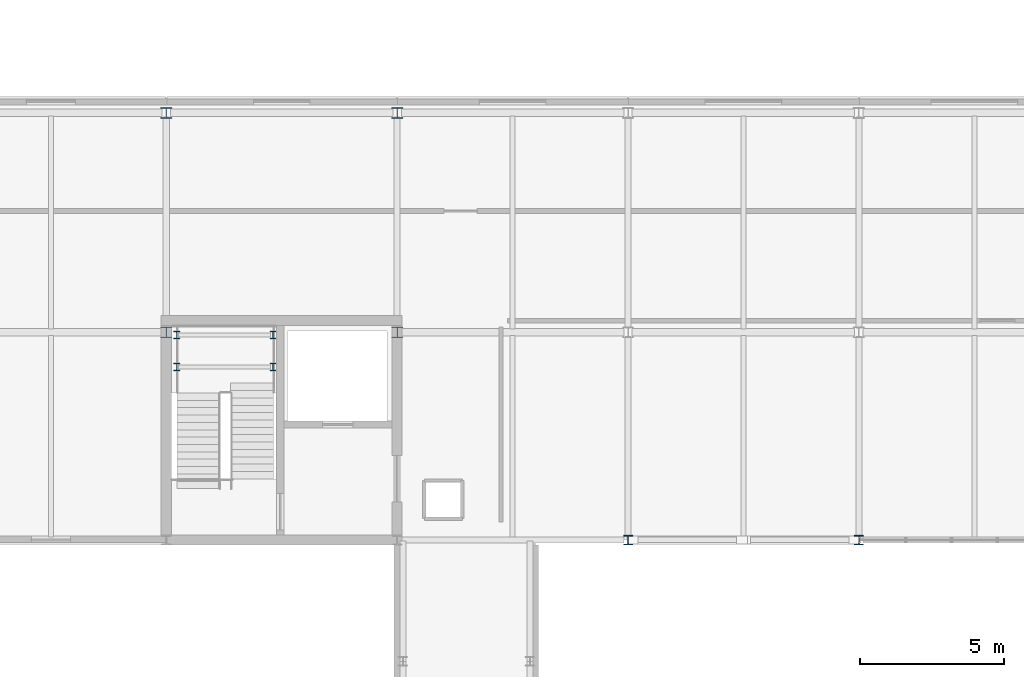
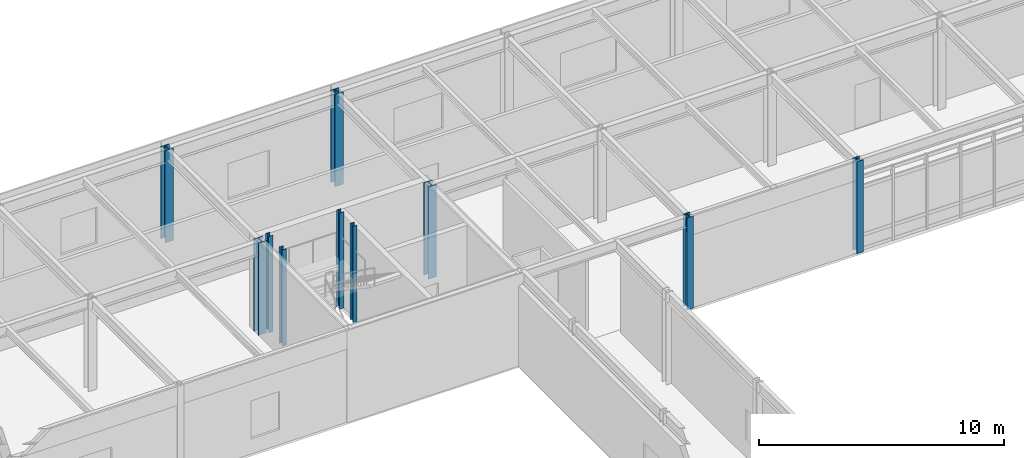
# One storey, part 6 of 104: 10 columns.
"""IFC4 building model written with IfcOpenShell, lengths in metres."""

import ifcopenshell
import ifcopenshell.guid

model = None  # the IFC model being written
_history = None  # IfcOwnerHistory: only IFC2X3 demands one
_inside = {}  # id of a spatial element -> (the spatial element, [elements in it])
_under = {}  # id of a project, library or spatial element -> (it, [spatial elements below it])
_declared = {}  # id of a project -> (the project, [libraries it declares])
_typed = {}  # id of a type object -> (the type object, [elements of that type])
_made_of = {}  # id of a material, layer set ... -> (it, [elements and type objects made of it])


def new_model(schema):
    """Start an empty IFC model of exactly this schema.

    Asked for "IFC4X3", IfcOpenShell would pick the latest addendum, in which some entities
    have other attributes; the version numbers below select the first issue.
    IFC2X3 requires an IfcOwnerHistory on every rooted entity: one is made here for all.
    """
    global model, _history
    if schema == "IFC4X3":
        model = ifcopenshell.file(schema_version=(4, 3, 0, 0))
    else:
        model = ifcopenshell.file(schema=schema)
    _inside.clear()
    _under.clear()
    _declared.clear()
    _typed.clear()
    _made_of.clear()
    _history = None
    if model.schema == "IFC2X3":
        org = make("IfcOrganization", Name="unknown")
        user = make(
            "IfcPersonAndOrganization",
            ThePerson=make("IfcPerson", FamilyName="unknown"),
            TheOrganization=org,
        )
        app = make(
            "IfcApplication",
            ApplicationDeveloper=org,
            Version="unknown",
            ApplicationFullName="unknown",
            ApplicationIdentifier="unknown",
        )
        _history = make(
            "IfcOwnerHistory",
            OwningUser=user,
            OwningApplication=app,
            ChangeAction="ADDED",
            CreationDate=0,
        )
    return model


def make(cls, **values):
    """One entity of the class cls with the attributes given. An attribute that is None is left unset."""
    return model.create_entity(
        cls, **{name: value for name, value in values.items() if value is not None}
    )


def rooted(cls, **values):
    """An entity with a GlobalId (a new one), such as an element, a storey or a relation."""
    return make(cls, GlobalId=ifcopenshell.guid.new(), OwnerHistory=_history, **values)


def si_unit(unit_type, name, prefix=None):
    """IfcSIUnit, for example si_unit("LENGTHUNIT", "METRE", prefix="MILLI")."""
    return make("IfcSIUnit", UnitType=unit_type, Prefix=prefix, Name=name)


def assignment(units):
    """IfcUnitAssignment: the units of a project."""
    return None if units is None else make("IfcUnitAssignment", Units=units)


def point(xyz):
    """IfcCartesianPoint."""
    return None if xyz is None else make("IfcCartesianPoint", Coordinates=xyz)


def direction(xyz):
    """IfcDirection."""
    return None if xyz is None else make("IfcDirection", DirectionRatios=xyz)


def frame(location, z_axis=None, x_axis=None):
    """IfcAxis2Placement3D, a coordinate frame: its origin and axes. An axis left out is left unset."""
    return make(
        "IfcAxis2Placement3D",
        Location=point(location),
        Axis=direction(z_axis),
        RefDirection=direction(x_axis),
    )


def frame_2d(location, x_axis=None):
    """IfcAxis2Placement2D, a coordinate frame in the plane: its origin and x axis."""
    return make(
        "IfcAxis2Placement2D", Location=point(location), RefDirection=direction(x_axis)
    )


def origin():
    """The frame at (0, 0, 0) with its axes left unset."""
    return frame((0.0, 0.0, 0.0))


def origin_2d():
    """The frame at (0, 0) in the plane with its x axis left unset."""
    return frame_2d((0.0, 0.0))


def place(relative_to, where):
    """IfcLocalPlacement: puts the frame where relative to a parent placement (None: the world)."""
    return make(
        "IfcLocalPlacement", PlacementRelTo=relative_to, RelativePlacement=where
    )


def context(
    kind, dimensions, precision=None, world=None, true_north=None, identifier=None
):
    """IfcGeometricRepresentationContext, for example the 3D "Model" context."""
    return make(
        "IfcGeometricRepresentationContext",
        ContextIdentifier=identifier,
        ContextType=kind,
        CoordinateSpaceDimension=dimensions,
        Precision=precision,
        WorldCoordinateSystem=world,
        TrueNorth=true_north,
    )


def subcontext(parent, identifier, kind, view, scale=None):
    """IfcGeometricRepresentationSubContext, for example "Body" below "Model"."""
    return make(
        "IfcGeometricRepresentationSubContext",
        ContextIdentifier=identifier,
        ContextType=kind,
        ParentContext=parent,
        TargetScale=scale,
        TargetView=view,
    )


def project(units=None, contexts=None):
    """IfcProject with its units and contexts."""
    return rooted(
        "IfcProject",
        Name="project",
        RepresentationContexts=contexts,
        UnitsInContext=assignment(units),
    )


def spatial(cls, under=None, at=None, **own):
    """A site, building, storey or space (cls), placed at a placement, below another one or the project."""
    s = rooted(cls, ObjectPlacement=at, **own)
    if under is not None:
        _under.setdefault(under.id(), (under, []))[1].append(s)
    return s


def profile(cls, at=None, kind="AREA", **sizes):
    """A parametric profile (cls). Its sizes go by their IFC names, for example OverallWidth=200.0."""
    return make(cls, ProfileType=kind, Position=at, **sizes)


def i_section(**sizes):
    """IfcIShapeProfileDef."""
    return profile("IfcIShapeProfileDef", **sizes)


def extrude(swept, where, along, depth):
    """IfcExtrudedAreaSolid: the profile swept, set in the frame where, extruded along a direction by depth."""
    return make(
        "IfcExtrudedAreaSolid",
        SweptArea=swept,
        Position=where,
        ExtrudedDirection=direction(along),
        Depth=depth,
    )


def shape(context_of_items, identifier, shape_type, items):
    """IfcShapeRepresentation: the items that make up one representation, for example the "Body"."""
    return make(
        "IfcShapeRepresentation",
        ContextOfItems=context_of_items,
        RepresentationIdentifier=identifier,
        RepresentationType=shape_type,
        Items=items,
    )


def material(Name=None, Category=None):
    """IfcMaterial."""
    return make("IfcMaterial", Name=Name, Category=Category)


def material_profile(
    of_material, cross_section, Name=None, Category=None, Priority=None
):
    """IfcMaterialProfile: a cross section and its material."""
    return make(
        "IfcMaterialProfile",
        Name=Name,
        Material=of_material,
        Profile=cross_section,
        Priority=Priority,
        Category=Category,
    )


def profile_set(profiles, Name=None, composite=None):
    """IfcMaterialProfileSet."""
    return make(
        "IfcMaterialProfileSet",
        Name=Name,
        MaterialProfiles=profiles,
        CompositeProfile=composite,
    )


def made_of(thing, what):
    """Note that an element or type object is made of a material, layer set ...; save() writes the relation."""
    if what is not None:
        _made_of.setdefault(what.id(), (what, []))[1].append(thing)
    return thing


def type_object(cls, material=None, **own):
    """A type object (cls), such as IfcWallType, which elements share."""
    return made_of(rooted(cls, **own), material)


def element(
    cls,
    number,
    at=None,
    inside=None,
    cuts=None,
    type_object=None,
    material=None,
    context=None,
    identifier="Body",
    shape_type=None,
    held_by="IfcProductDefinitionShape",
    body=None,
    shapes=None,
    **own,
):
    """One element of the class cls, such as IfcWall. Its Tag is "e" and its number.

    at: its placement. inside: the storey or other place that contains it. cuts: it is an
    opening in that element (IfcRelVoidsElement). A single representation is given by context,
    identifier, shape_type and body (its items); several are given by shapes. held_by: the class
    of the entity that holds the representations. save() writes the other relations.
    """
    e = rooted(cls, Tag="e%d" % number, ObjectPlacement=at, **own)
    if body is not None:
        shapes = [shape(context, identifier, shape_type, body)]
    if shapes is not None:
        e.Representation = make(held_by, Representations=shapes)
    if inside is not None:
        _inside.setdefault(inside.id(), (inside, []))[1].append(e)
    if cuts is not None:
        rooted(
            "IfcRelVoidsElement", RelatingBuildingElement=cuts, RelatedOpeningElement=e
        )
    if type_object is not None:
        _typed.setdefault(type_object.id(), (type_object, []))[1].append(e)
    return made_of(e, material)


def aggregate(whole, parts):
    """IfcRelAggregates: a whole, such as a stair, and the parts it consists of."""
    return rooted("IfcRelAggregates", RelatingObject=whole, RelatedObjects=parts)


def save(model, path):
    """Write the relations noted so far, then the file.

    IfcRelAggregates (storeys below a building ...), IfcRelContainedInSpatialStructure (elements
    in a storey), IfcRelDefinesByType, IfcRelAssociatesMaterial and IfcRelDeclares: one each for
    every whole, place, type object, material and project.
    """
    for whole, parts in _under.values():
        aggregate(whole, parts)
    for where, things in _inside.values():
        rooted(
            "IfcRelContainedInSpatialStructure",
            RelatedElements=things,
            RelatingStructure=where,
        )
    for kind, things in _typed.values():
        rooted("IfcRelDefinesByType", RelatedObjects=things, RelatingType=kind)
    for what, things in _made_of.values():
        rooted("IfcRelAssociatesMaterial", RelatedObjects=things, RelatingMaterial=what)
    for by, libraries in _declared.values():
        rooted("IfcRelDeclares", RelatingContext=by, RelatedDefinitions=libraries)
    model.write(path)


model = new_model("IFC4")

# Units and contexts
model_context = context("Model", 3, precision=1e-05, world=origin(), true_north=direction((0.0, 1.0)))
body_context = subcontext(model_context, "Body", "Model", "MODEL_VIEW")
ifc_project = project(units=[si_unit("LENGTHUNIT", "METRE"), si_unit("AREAUNIT", "SQUARE_METRE"), si_unit("VOLUMEUNIT", "CUBIC_METRE"), si_unit("PLANEANGLEUNIT", "RADIAN"), si_unit("MASSUNIT", "GRAM", prefix="KILO")], contexts=[model_context])

# Site, building, storey
site_placement = place(None, origin())
site = spatial("IfcSite", under=ifc_project, at=site_placement, CompositionType="ELEMENT")
building_placement = place(site_placement, origin())
building = spatial("IfcBuilding", under=site, at=building_placement, Name="Zulena Civic Courthouse", CompositionType="ELEMENT")
storey_placement = place(building_placement, frame((0.0, 0.0, 10.800048828125)))
storey = spatial("IfcBuildingStorey", under=building, at=storey_placement, Name="L02", CompositionType="ELEMENT", Elevation=10.800048828125)

# Columns
ifc_material = material(Name="Steel ASTM A992 Grade 50", Category="steel")
ifc_material_profile_1 = material_profile(ifc_material, i_section(OverallWidth=0.2041015625, OverallDepth=0.257080078125, WebThickness=0.0087890625, FlangeThickness=0.015625, FilletRadius=0.0126953125, at=origin_2d()), Name="W10X45")
ifc_profile_set_1 = profile_set([ifc_material_profile_1], Name="Steel ASTM A992 Grade 50")
column_type_1 = type_object("IfcColumnType", Name="Col_W10X45", PredefinedType="COLUMN", material=ifc_profile_set_1)
for number, where, z_axis, x_axis, name in (
    (1, (20.360107421875, 52.0, 0.0), (0.0, 0.0, 1.0), (1.0, 0.0, 0.0), "col:lnd:K5A:L02:0:0"),
    (2, (23.699951171875, 52.0, 0.0), (0.0, 0.0, 1.0), (1.0, 0.0, 0.0), "col:lnd:K5A:L02:0:1"),
    (3, (20.360107421875, 53.10009765625, 0.0), (0.0, 0.0, 1.0), (1.0, 0.0, 0.0), "col:lnd:K5A:L02:1:0"),
    (4, (23.699951171875, 53.10009765625, 0.0), (0.0, 0.0, 1.0), (1.0, 0.0, 0.0), "col:lnd:K5A:L02:1:1"),
):
    element("IfcColumn", number, at=place(storey_placement, frame(where, z_axis=z_axis, x_axis=x_axis)), inside=storey, type_object=column_type_1, Name=name, PredefinedType="COLUMN", context=body_context, shape_type="SweptSolid", body=[
        extrude(i_section(OverallWidth=0.2041015625, OverallDepth=0.257080078125, WebThickness=0.0087890625, FlangeThickness=0.015625, FilletRadius=0.0126953125, at=origin_2d()), origin(), (0.0, 0.0, 1.0), 4.794921875),
    ])
ifc_material_profile_2 = material_profile(ifc_material, i_section(OverallWidth=0.31298828125, OverallDepth=0.3330078125, WebThickness=0.01806640625, FlangeThickness=0.0283203125, FilletRadius=0.01513671875, at=origin_2d()), Name="W12X120")
ifc_profile_set_2 = profile_set([ifc_material_profile_2], Name="Steel ASTM A992 Grade 50")
column_type_2 = type_object("IfcColumnType", Name="Col_W12X120", PredefinedType="COLUMN", material=ifc_profile_set_2)
for number, where, z_axis, x_axis, name in (
    (5, (36.0, 46.0, 0.0), (0.0, 0.0, 1.0), (1.0, 0.0, 0.0), "col:V5:L02:36.0:46.0"),
    (6, (44.0, 46.0, 0.0), (0.0, 0.0, 1.0), (1.0, 0.0, 0.0), "col:V5:L02:44.0:46.0"),
):
    element("IfcColumn", number, at=place(storey_placement, frame(where, z_axis=z_axis, x_axis=x_axis)), inside=storey, type_object=column_type_2, Name=name, PredefinedType="COLUMN", context=body_context, shape_type="SweptSolid", body=[
        extrude(i_section(OverallWidth=0.31298828125, OverallDepth=0.3330078125, WebThickness=0.01806640625, FlangeThickness=0.0283203125, FilletRadius=0.01513671875, at=origin_2d()), origin(), (0.0, 0.0, 1.0), 4.58984375),
    ])
ifc_material_profile_3 = material_profile(ifc_material, i_section(OverallWidth=0.39404296875, OverallDepth=0.3759765625, WebThickness=0.017333984375, FlangeThickness=0.027587890625, FilletRadius=0.01513671875, at=origin_2d()), Name="W14X145")
ifc_profile_set_3 = profile_set([ifc_material_profile_3], Name="Steel ASTM A992 Grade 50")
column_type_3 = type_object("IfcColumnType", Name="Col_W14X145", PredefinedType="COLUMN", material=ifc_profile_set_3)
for number, where, z_axis, x_axis, name in (
    (7, (20.0, 53.199951171875, 0.0), (0.0, 0.0, 1.0), (1.0, 0.0, 0.0), "col:V5:L02:20.0:53.2"),
    (8, (20.0, 60.800048828125, 0.0), (0.0, 0.0, 1.0), (1.0, 0.0, 0.0), "col:V5:L02:20.0:60.8"),
    (9, (28.0, 53.199951171875, 0.0), (0.0, 0.0, 1.0), (1.0, 0.0, 0.0), "col:V5:L02:28.0:53.2"),
    (10, (28.0, 60.800048828125, 0.0), (0.0, 0.0, 1.0), (1.0, 0.0, 0.0), "col:V5:L02:28.0:60.8"),
):
    element("IfcColumn", number, at=place(storey_placement, frame(where, z_axis=z_axis, x_axis=x_axis)), inside=storey, type_object=column_type_3, Name=name, PredefinedType="COLUMN", context=body_context, shape_type="SweptSolid", body=[
        extrude(i_section(OverallWidth=0.39404296875, OverallDepth=0.3759765625, WebThickness=0.017333984375, FlangeThickness=0.027587890625, FilletRadius=0.01513671875, at=origin_2d()), origin(), (0.0, 0.0, 1.0), 4.58984375),
    ])

save(model, "model.ifc")
